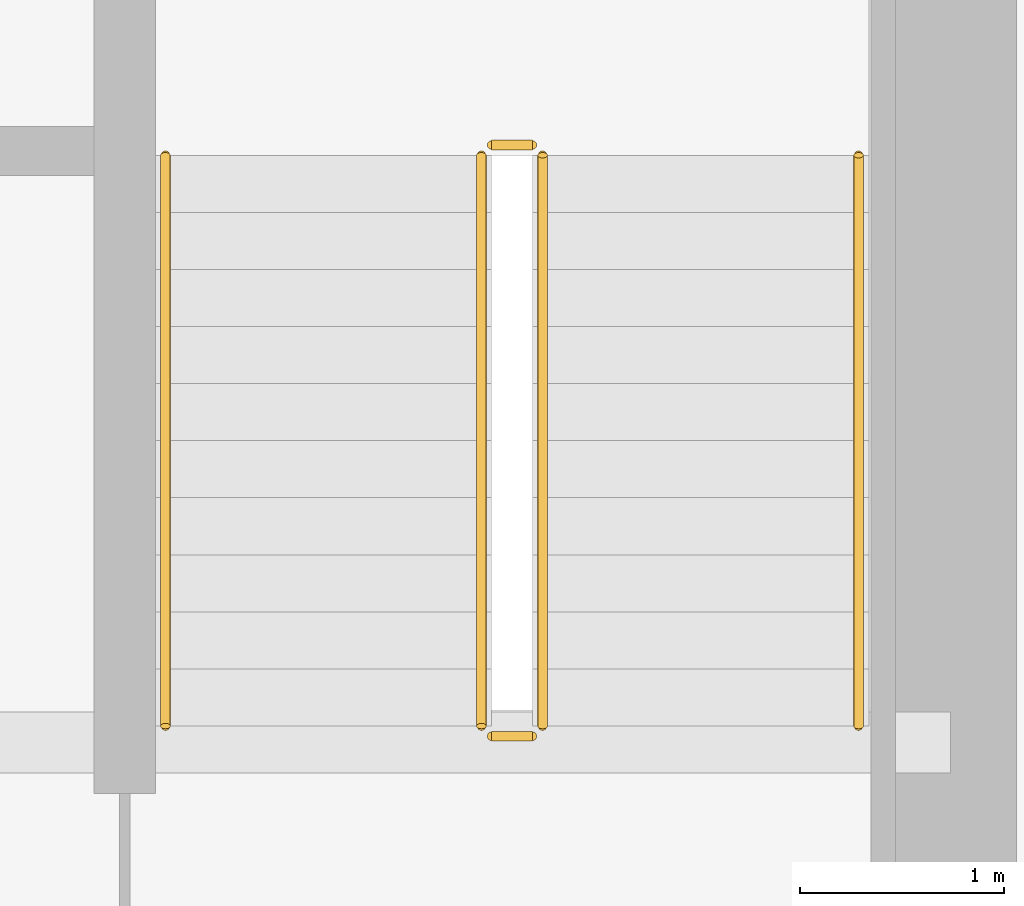
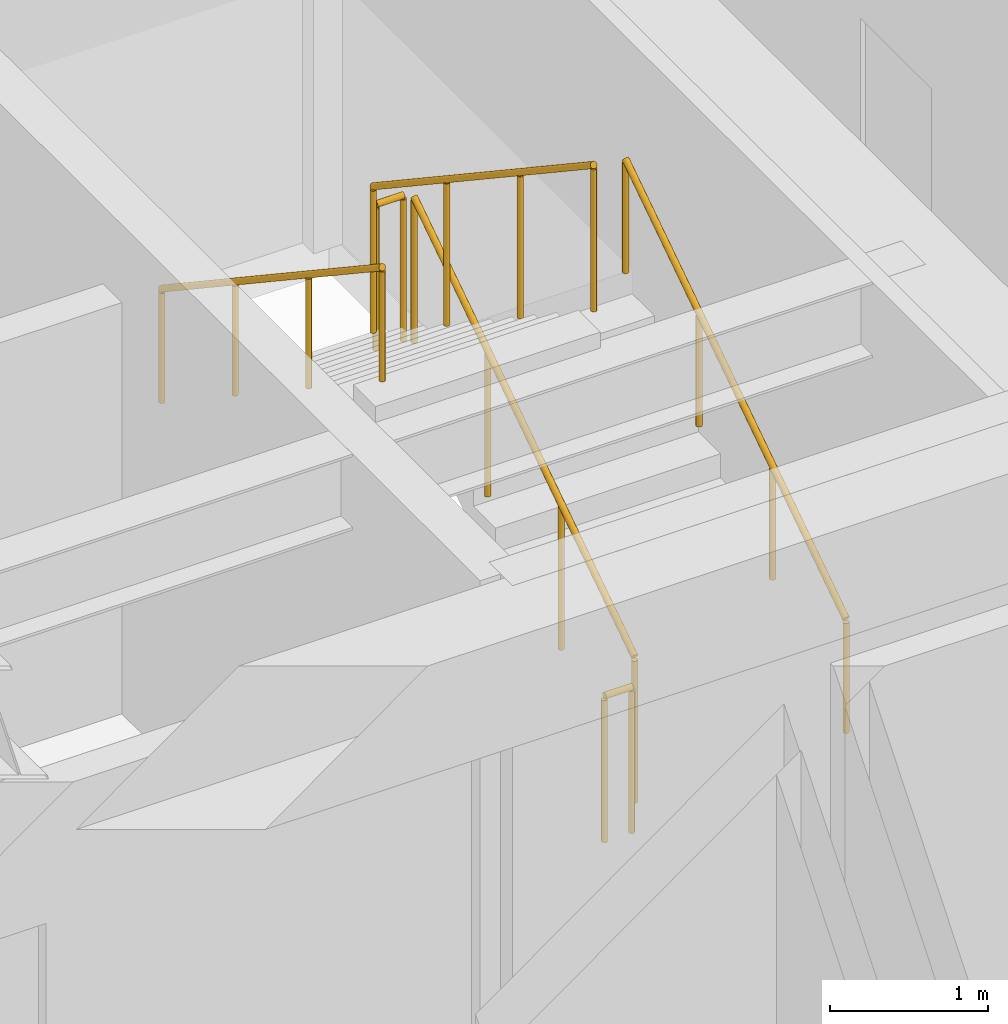
# One storey, part 30 of 30: 6 railings.
"""IFC4 building model written with IfcOpenShell, lengths in metres."""

from ifc_helpers import new_model, si_unit, direction, frame, origin, origin_2d, place, context, subcontext, project, spatial, circle, extrude, source, transform, mapped, material, type_object, type_shapes, element, save


model = new_model("IFC4")

# Units and contexts
model_context = context("Model", 3, precision=1e-05, world=origin(), true_north=direction((0.0, 1.0)))
body_context = subcontext(model_context, "Body", "Model", "MODEL_VIEW")
ifc_project = project(units=[si_unit("LENGTHUNIT", "METRE"), si_unit("AREAUNIT", "SQUARE_METRE"), si_unit("VOLUMEUNIT", "CUBIC_METRE"), si_unit("PLANEANGLEUNIT", "RADIAN"), si_unit("MASSUNIT", "GRAM", prefix="KILO")], contexts=[model_context])

# Site, building, storey
site_placement = place(None, origin())
site = spatial("IfcSite", under=ifc_project, at=site_placement, CompositionType="ELEMENT")
building_placement = place(site_placement, origin())
building = spatial("IfcBuilding", under=site, at=building_placement, Name="Haelvirn Gate Laboratories", CompositionType="ELEMENT")
storey_placement = place(building_placement, frame((0.0, 0.0, 170.699951171875)))
storey = spatial("IfcBuildingStorey", under=building, at=storey_placement, Name="L41", CompositionType="ELEMENT", Elevation=170.699951171875)

# Railings
ifc_material_1 = material(Name="Galvanised steel SM355 & stainless top rail", Category="steel")
railing_type_1 = type_object("IfcRailingType", Name="RL-GUARD-1150", PredefinedType="GUARDRAIL", material=ifc_material_1)
shared_shape_1 = source(origin(), body_context, "Body", "SweptSolid", [
    extrude(circle(Radius=0.02392578125, at=origin_2d()), frame((0.0, 0.0, 1.1259765625), z_axis=(0.0, 0.832485552168, 0.554046753832), x_axis=(-1.0, 0.0, 0.0)), (0.0, 0.0, 1.0), 3.363525390625),
    extrude(circle(Radius=0.02099609375, at=origin_2d()), origin(), (0.0, 0.0, 1.0), 1.101806640625),
    extrude(circle(Radius=0.02099609375, at=origin_2d()), frame((0.0, 0.933349609375, 0.62109375)), (0.0, 0.0, 1.0), 1.101806640625),
    extrude(circle(Radius=0.02099609375, at=origin_2d()), frame((0.0, 1.86669921875, 1.242431640625)), (0.0, 0.0, 1.0), 1.101806640625),
    extrude(circle(Radius=0.02099609375, at=origin_2d()), frame((0.0, 2.800048828125, 1.863525390625)), (0.0, 0.0, 1.0), 1.101806640625),
])
railing_1_placement = place(storey_placement, frame((65.39990234375, 26.699951171875, 0.1865234375)))
element("IfcRailing", 1, at=railing_1_placement, inside=storey, type_object=railing_type_1, Name="L41 ST2 stair guard 1", PredefinedType="GUARDRAIL", context=body_context, shape_type="MappedRepresentation", body=[
    mapped(shared_shape_1, transform((0.0, 0.0, 0.0), scale=1.0)),
])
shared_shape_2 = source(origin(), body_context, "Body", "SweptSolid", [
    extrude(circle(Radius=0.02392578125, at=origin_2d()), frame((0.0, 0.0, 1.1259765625), z_axis=(0.0, -0.832452072856, 0.554097055034), x_axis=(1.0, 0.0, 0.0)), (0.0, 0.0, 1.0), 3.363525390625),
    extrude(circle(Radius=0.02099609375, at=origin_2d()), origin(), (0.0, 0.0, 1.0), 1.101806640625),
    extrude(circle(Radius=0.02099609375, at=origin_2d()), frame((0.0, -0.933349609375, 0.621337890625)), (0.0, 0.0, 1.0), 1.101806640625),
    extrude(circle(Radius=0.02099609375, at=origin_2d()), frame((0.0, -1.86669921875, 1.242431640625)), (0.0, 0.0, 1.0), 1.101806640625),
    extrude(circle(Radius=0.02099609375, at=origin_2d()), frame((0.0, -2.800048828125, 1.86376953125)), (0.0, 0.0, 1.0), 1.101806640625),
])
railing_2_placement = place(storey_placement, frame((65.10009765625, 29.5, 2.236328125)))
element("IfcRailing", 2, at=railing_2_placement, inside=storey, type_object=railing_type_1, Name="L41 ST2 stair guard 3", PredefinedType="GUARDRAIL", context=body_context, shape_type="MappedRepresentation", body=[
    mapped(shared_shape_2, transform((0.0, 0.0, 0.0), scale=1.0)),
])
ifc_material_2 = material(Name="Brushed stainless steel 316L", Category="steel")
railing_type_2 = type_object("IfcRailingType", Name="RL-HAND-920", PredefinedType="HANDRAIL", material=ifc_material_2)
shared_shape_3 = source(origin(), body_context, "Body", "SweptSolid", [
    extrude(circle(Radius=0.02392578125, at=origin_2d()), frame((0.0, 0.0, 0.8759765625), z_axis=(0.0, 0.832485552168, 0.554046753832), x_axis=(-1.0, 0.0, 0.0)), (0.0, 0.0, 1.0), 3.363525390625),
    extrude(circle(Radius=0.02099609375, at=origin_2d()), origin(), (0.0, 0.0, 1.0), 0.851806640625),
    extrude(circle(Radius=0.02099609375, at=origin_2d()), frame((0.0, 0.933349609375, 0.62109375)), (0.0, 0.0, 1.0), 0.851806640625),
    extrude(circle(Radius=0.02099609375, at=origin_2d()), frame((0.0, 1.86669921875, 1.242431640625)), (0.0, 0.0, 1.0), 0.851806640625),
    extrude(circle(Radius=0.02099609375, at=origin_2d()), frame((0.0, 2.800048828125, 1.863525390625)), (0.0, 0.0, 1.0), 0.851806640625),
])
railing_3_placement = place(storey_placement, frame((66.949951171875, 26.699951171875, 0.1865234375)))
element("IfcRailing", 3, at=railing_3_placement, inside=storey, type_object=railing_type_2, Name="L41 ST2 stair handrail 1", PredefinedType="HANDRAIL", context=body_context, shape_type="MappedRepresentation", body=[
    mapped(shared_shape_3, transform((0.0, 0.0, 0.0), scale=1.0)),
])
shared_shape_4 = source(origin(), body_context, "Body", "SweptSolid", [
    extrude(circle(Radius=0.02392578125, at=origin_2d()), frame((0.0, 0.0, 0.8759765625), z_axis=(0.0, -0.832452072856, 0.554097055034), x_axis=(1.0, 0.0, 0.0)), (0.0, 0.0, 1.0), 3.363525390625),
    extrude(circle(Radius=0.02099609375, at=origin_2d()), origin(), (0.0, 0.0, 1.0), 0.851806640625),
    extrude(circle(Radius=0.02099609375, at=origin_2d()), frame((0.0, -0.933349609375, 0.621337890625)), (0.0, 0.0, 1.0), 0.851806640625),
    extrude(circle(Radius=0.02099609375, at=origin_2d()), frame((0.0, -1.86669921875, 1.242431640625)), (0.0, 0.0, 1.0), 0.851806640625),
    extrude(circle(Radius=0.02099609375, at=origin_2d()), frame((0.0, -2.800048828125, 1.86376953125)), (0.0, 0.0, 1.0), 0.851806640625),
])
type_shapes(railing_type_2, [shared_shape_3, shared_shape_4])
railing_4_placement = place(storey_placement, frame((63.550048828125, 29.5, 2.236328125)))
element("IfcRailing", 4, at=railing_4_placement, inside=storey, type_object=railing_type_2, Name="L41 ST2 stair handrail 2", PredefinedType="HANDRAIL", context=body_context, shape_type="MappedRepresentation", body=[
    mapped(shared_shape_4, transform((0.0, 0.0, 0.0), scale=1.0)),
])
shared_shape_5 = source(origin(), body_context, "Body", "SweptSolid", [
    extrude(circle(Radius=0.02392578125, at=origin_2d()), frame((0.0, 0.0, 1.1259765625), z_axis=(-1.0, 0.0, 0.0), x_axis=(0.0, -1.0, 0.0)), (0.0, 0.0, 1.0), 0.2001953125),
    extrude(circle(Radius=0.02099609375, at=origin_2d()), origin(), (0.0, 0.0, 1.0), 1.101806640625),
    extrude(circle(Radius=0.02099609375, at=origin_2d()), frame((-0.2001953125, 0.0, 0.0)), (0.0, 0.0, 1.0), 1.101806640625),
])
type_shapes(railing_type_1, [shared_shape_1, shared_shape_2, shared_shape_5])
for number, where, name in (
    (5, (65.35009765625, 29.550048828125, 2.050048828125), "L41 ST2 stair guard 2"),
    (6, (65.35009765625, 26.64990234375, 0.0), "L41 ST2 stair guard 4"),
):
    element("IfcRailing", number, at=place(storey_placement, frame(where)), inside=storey, type_object=railing_type_1, Name=name, PredefinedType="GUARDRAIL", context=body_context, shape_type="MappedRepresentation", body=[
        mapped(shared_shape_5, transform((0.0, 0.0, 0.0), scale=1.0)),
    ])

save(model, "model.ifc")
